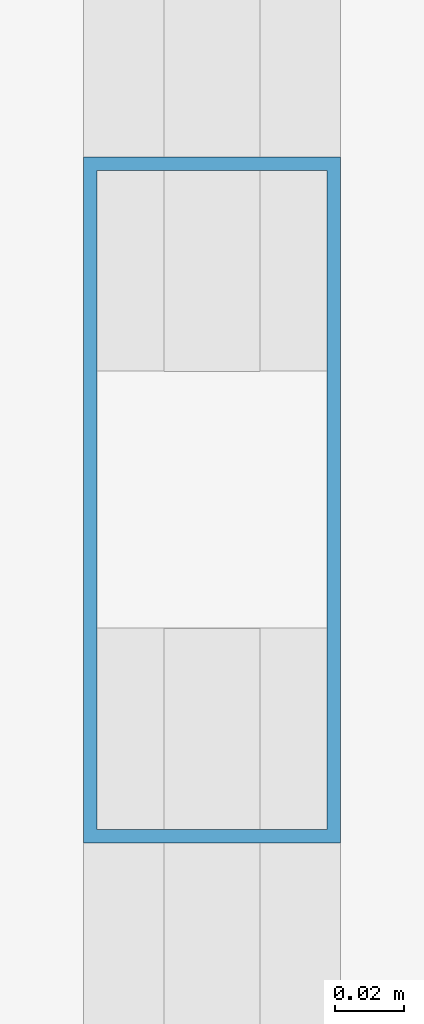
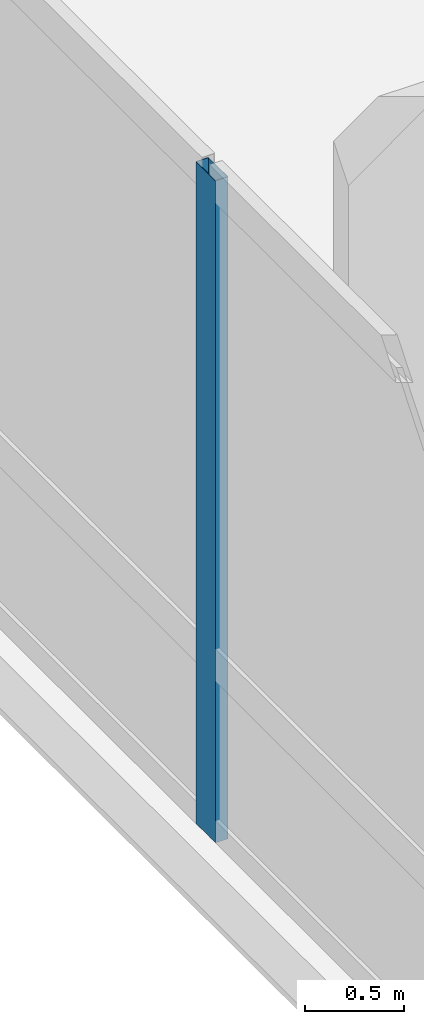
# One storey, part 8 of 31: 1 member, 1 element without a shape of its own.
"""IFC4 building model written with IfcOpenShell, lengths in metres."""

from ifc_helpers import new_model, si_unit, direction, frame, origin, origin_2d, place, context, subcontext, project, spatial, hollow_rectangle, extrude, material, layer, layer_set, material_profile, profile_set, type_object, element, aggregate, save


model = new_model("IFC4")

# Units and contexts
model_context = context("Model", 3, precision=1e-05, world=origin(), true_north=direction((0.0, 1.0)))
body_context = subcontext(model_context, "Body", "Model", "MODEL_VIEW")
ifc_project = project(units=[si_unit("LENGTHUNIT", "METRE"), si_unit("AREAUNIT", "SQUARE_METRE"), si_unit("VOLUMEUNIT", "CUBIC_METRE"), si_unit("PLANEANGLEUNIT", "RADIAN"), si_unit("MASSUNIT", "GRAM", prefix="KILO")], contexts=[model_context])

# Site, building, storey
site_placement = place(None, origin())
site = spatial("IfcSite", under=ifc_project, at=site_placement, CompositionType="ELEMENT")
building_placement = place(site_placement, origin())
building = spatial("IfcBuilding", under=site, at=building_placement, Name="Varnelok Gate Tower", CompositionType="ELEMENT")
storey_placement = place(building_placement, frame((0.0, 0.0, 21.60009765625)))
storey = spatial("IfcBuildingStorey", under=building, at=storey_placement, Name="L04", CompositionType="ELEMENT", Elevation=21.60009765625)

# Curtain wall, member
ifc_material = material(Name="Anodized Aluminum Alloy 6063-T6", Category="aluminium")
ifc_layer = layer(ifc_material, 0.179931640625)
ifc_layer_set = layer_set([ifc_layer], Name="Anodized Aluminum Alloy 6063-T6")
curtain_wall_type = type_object("IfcCurtainWallType", Name="CW1-ARCH-PORTAL", PredefinedType="USERDEFINED", material=ifc_layer_set)
curtain_wall_placement = place(storey_placement, origin())
curtain_wall = element("IfcCurtainWall", 1, at=curtain_wall_placement, inside=storey, type_object=curtain_wall_type, Name="L04 Podium Portal Curtain Wall W", ObjectType="UNITISED CURTAIN WALL", PredefinedType="USERDEFINED")
ifc_material_profile = material_profile(ifc_material, hollow_rectangle(XDim=0.074951171875, YDim=0.199951171875, WallThickness=0.00390625, at=origin_2d()), Name="ALU200X75X4")
ifc_profile_set = profile_set([ifc_material_profile], Name="Anodized Aluminum Alloy 6063-T6")
member_type = type_object("IfcMemberType", Name="CW-MULL-200", PredefinedType="MULLION", material=ifc_profile_set)
member_placement = place(storey_placement, frame((0.159912109375, 30.199951171875, 0.0), z_axis=(0.0, 0.0, 1.0), x_axis=(-1.0, 0.0, 0.0)))
member = element("IfcMember", 2, at=member_placement, type_object=member_type, Name="CW1 mullion 4", PredefinedType="MULLION", context=body_context, shape_type="SweptSolid", body=[
    extrude(hollow_rectangle(XDim=0.074951171875, YDim=0.199951171875, WallThickness=0.00390625, at=origin_2d()), origin(), (0.0, 0.0, 1.0), 4.099853515625),
])
aggregate(curtain_wall, [member])

save(model, "model.ifc")
